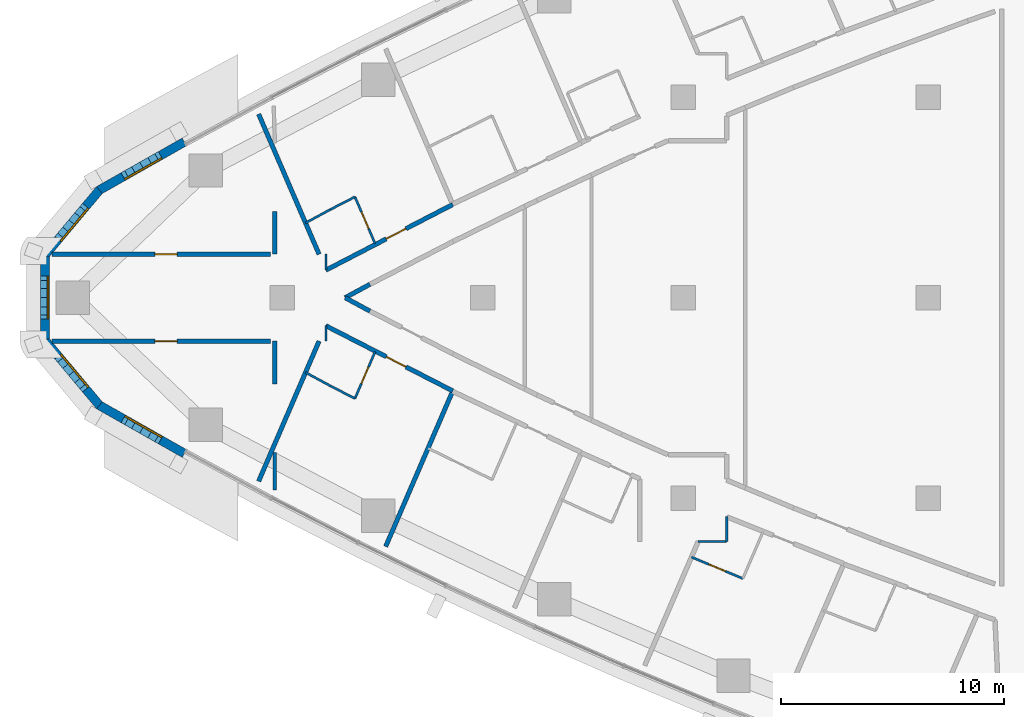
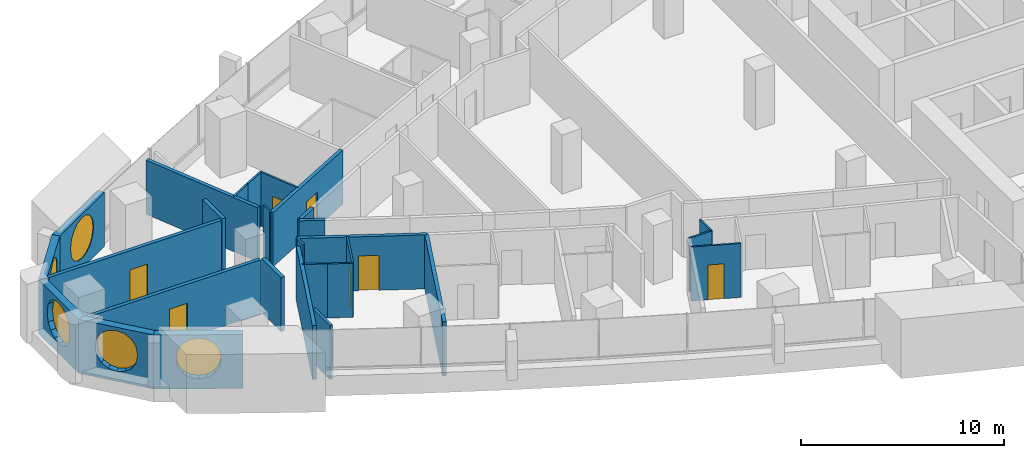
# One storey, part 8 of 17: 28 walls, 7 doors, 5 windows, 12 openings.
"""IFC4 building model written with IfcOpenShell, lengths in metres."""

from ifc_helpers import new_model, si_unit, direction, frame, frame_2d, origin, place, context, subcontext, project, spatial, polyline, rectangle, outline, extrude, material, layer, layer_set, type_object, element, fill, save


model = new_model("IFC4")

# Units and contexts
model_context = context("Model", 3, precision=1e-05, world=origin(), true_north=direction((0.0, 1.0)))
body_context = subcontext(model_context, "Body", "Model", "MODEL_VIEW")
ifc_project = project(units=[si_unit("LENGTHUNIT", "METRE"), si_unit("AREAUNIT", "SQUARE_METRE"), si_unit("VOLUMEUNIT", "CUBIC_METRE"), si_unit("PLANEANGLEUNIT", "RADIAN"), si_unit("MASSUNIT", "GRAM", prefix="KILO")], contexts=[model_context])

# Site, building, storey
site_placement = place(None, origin())
site = spatial("IfcSite", under=ifc_project, at=site_placement, CompositionType="ELEMENT")
building_placement = place(site_placement, origin())
building = spatial("IfcBuilding", under=site, at=building_placement, Name="Ostrand Prow Hotel Tower", CompositionType="ELEMENT")
storey_placement = place(building_placement, frame((0.0, 0.0, 151.5)))
storey = spatial("IfcBuildingStorey", under=building, at=storey_placement, Name="L37", CompositionType="ELEMENT", Elevation=151.5)

# Walls
ifc_material_1 = material(Name="Plasterboard partition")
ifc_layer_1 = layer(ifc_material_1, 0.10009765625)
ifc_layer_set_1 = layer_set([ifc_layer_1], Name="Plasterboard partition")
wall_type_1 = type_object("IfcWallType", Name="Partition 100 bathroom wall", PredefinedType="PARTITIONING", material=ifc_layer_set_1)
wall_1_placement = place(storey_placement, frame((17.03564453125, 3.3583984375, 0.0), z_axis=(0.0, 0.0, 1.0), x_axis=(0.879823588489, 0.475300382009, 0.0)))
element("IfcWall", 1, at=wall_1_placement, inside=storey, type_object=wall_type_1, Name="BATHROOM WALL", PredefinedType="PARTITIONING", context=body_context, shape_type="SweptSolid", body=[
    extrude(rectangle(XDim=1.27294921875, YDim=0.10009765625, at=frame_2d((0.636474609375, 0.0))), origin(), (0.0, 0.0, 1.0), 3.25),
])
wall_2_placement = place(storey_placement, frame((18.155517578125, 3.96337890625, 0.0), z_axis=(0.0, 0.0, 1.0), x_axis=(0.889106231322, 0.457700895154, 0.0)))
element("IfcWall", 2, at=wall_2_placement, inside=storey, type_object=wall_type_1, Name="BATHROOM WALL", PredefinedType="PARTITIONING", context=body_context, shape_type="SweptSolid", body=[
    extrude(rectangle(XDim=1.23486328125, YDim=0.10009765625, at=frame_2d((0.617431640625, 0.0))), origin(), (0.0, 0.0, 1.0), 3.25),
])

# Wall, opening, door
wall_3_placement = place(storey_placement, frame((19.253662109375, 4.528564453125, 0.0), z_axis=(0.0, 0.0, 1.0), x_axis=(0.395958457437, -0.9182684248, 0.0)))
wall_3 = element("IfcWall", 3, at=wall_3_placement, inside=storey, type_object=wall_type_1, Name="BATHROOM WALL", PredefinedType="PARTITIONING", context=body_context, shape_type="SweptSolid", body=[
    extrude(rectangle(XDim=2.281982421875, YDim=0.10009765625, at=frame_2d((1.14111328125, 0.0))), origin(), (0.0, 0.0, 1.0), 3.25),
])
opening_1_placement = place(wall_3_placement, frame((0.75, 0.0, 0.0)))
opening_1 = element("IfcOpeningElement", 4, at=opening_1_placement, cuts=wall_3, Name="Opening D2", PredefinedType="OPENING", context=body_context, shape_type="SweptSolid", body=[
    extrude(rectangle(XDim=0.800048828125, YDim=2.10009765625, at=frame_2d((0.39990234375, 1.050048828125))), frame((0.0, 0.06005859375, 0.0), z_axis=(0.0, -1.0, 0.0), x_axis=(1.0, 0.0, 0.0)), (0.0, 0.0, 1.0), 0.1201171875),
])
ifc_material_2 = material(Name="Timber door leaf", Category="wood")
door_type_1 = type_object("IfcDoorType", Name="Bathroom door 800", OperationType="SINGLE_SWING_LEFT", PredefinedType="DOOR", material=ifc_material_2)
door_1_placement = place(opening_1_placement, origin())
door_1 = element("IfcDoor", 5, at=door_1_placement, inside=storey, type_object=door_type_1, Name="DOOR", OperationType="SINGLE_SWING_LEFT", OverallHeight=2.10009765625, OverallWidth=0.800048828125, PredefinedType="DOOR", context=body_context, shape_type="SweptSolid", body=[
    extrude(rectangle(XDim=0.800048828125, YDim=2.10009765625, at=frame_2d((0.39990234375, 1.050048828125))), frame((0.0, 0.02490234375, 0.0), z_axis=(0.0, -1.0, 0.0), x_axis=(1.0, 0.0, 0.0)), (0.0, 0.0, 1.0), 0.050048828125),
])
fill(opening_1, door_1)

wall_4_placement = place(storey_placement, frame((20.1572265625, -2.43310546875, 0.0), z_axis=(0.0, 0.0, 1.0), x_axis=(-0.395958457437, -0.9182684248, 0.0)))
wall_4 = element("IfcWall", 6, at=wall_4_placement, inside=storey, type_object=wall_type_1, Name="BATHROOM WALL", PredefinedType="PARTITIONING", context=body_context, shape_type="SweptSolid", body=[
    extrude(rectangle(XDim=2.281982421875, YDim=0.10009765625, at=frame_2d((1.14111328125, 0.0))), origin(), (0.0, 0.0, 1.0), 3.25),
])
opening_2_placement = place(wall_4_placement, frame((0.75, 0.0, 0.0)))
opening_2 = element("IfcOpeningElement", 7, at=opening_2_placement, cuts=wall_4, Name="Opening D2", PredefinedType="OPENING", context=body_context, shape_type="SweptSolid", body=[
    extrude(rectangle(XDim=0.800048828125, YDim=2.10009765625, at=frame_2d((0.39990234375, 1.050048828125))), frame((0.0, 0.06005859375, 0.0), z_axis=(0.0, -1.0, 0.0), x_axis=(1.0, 0.0, 0.0)), (0.0, 0.0, 1.0), 0.1201171875),
])
door_2_placement = place(opening_2_placement, origin())
door_2 = element("IfcDoor", 8, at=door_2_placement, inside=storey, type_object=door_type_1, Name="DOOR", OperationType="SINGLE_SWING_LEFT", OverallHeight=2.10009765625, OverallWidth=0.800048828125, PredefinedType="DOOR", context=body_context, shape_type="SweptSolid", body=[
    extrude(rectangle(XDim=0.800048828125, YDim=2.10009765625, at=frame_2d((0.39990234375, 1.050048828125))), frame((0.0, 0.02490234375, 0.0), z_axis=(0.0, -1.0, 0.0), x_axis=(1.0, 0.0, 0.0)), (0.0, 0.0, 1.0), 0.050048828125),
])
fill(opening_2, door_2)

# Walls
wall_5_placement = place(storey_placement, frame((19.25341796875, -4.528564453125, 0.0), z_axis=(0.0, 0.0, 1.0), x_axis=(-0.889106231322, 0.457700895154, 0.0)))
element("IfcWall", 9, at=wall_5_placement, inside=storey, type_object=wall_type_1, Name="BATHROOM WALL", PredefinedType="PARTITIONING", context=body_context, shape_type="SweptSolid", body=[
    extrude(rectangle(XDim=1.23486328125, YDim=0.10009765625, at=frame_2d((0.617431640625, 0.0))), origin(), (0.0, 0.0, 1.0), 3.25),
])
wall_6_placement = place(storey_placement, frame((18.155517578125, -3.96337890625, 0.0), z_axis=(0.0, 0.0, 1.0), x_axis=(-0.879823588489, 0.475300382009, 0.0)))
element("IfcWall", 10, at=wall_6_placement, inside=storey, type_object=wall_type_1, Name="BATHROOM WALL", PredefinedType="PARTITIONING", context=body_context, shape_type="SweptSolid", body=[
    extrude(rectangle(XDim=1.27294921875, YDim=0.10009765625, at=frame_2d((0.636474609375, 0.0))), origin(), (0.0, 0.0, 1.0), 3.25),
])

# Wall, opening, door
wall_7_placement = place(storey_placement, frame((36.676513671875, -12.61279296875, 0.0), z_axis=(0.0, 0.0, 1.0), x_axis=(-0.923019129633, 0.384754059538, 0.0)))
wall_7 = element("IfcWall", 11, at=wall_7_placement, inside=storey, type_object=wall_type_1, Name="BATHROOM WALL", PredefinedType="PARTITIONING", context=body_context, shape_type="SweptSolid", body=[
    extrude(rectangle(XDim=2.5, YDim=0.10009765625, at=frame_2d((1.25, 0.0))), origin(), (0.0, 0.0, 1.0), 3.25),
])
opening_3_placement = place(wall_7_placement, frame((0.85009765625, 0.0, 0.0)))
opening_3 = element("IfcOpeningElement", 12, at=opening_3_placement, cuts=wall_7, Name="Opening D2", PredefinedType="OPENING", context=body_context, shape_type="SweptSolid", body=[
    extrude(rectangle(XDim=0.800048828125, YDim=2.10009765625, at=frame_2d((0.39990234375, 1.050048828125))), frame((0.0, 0.06005859375, 0.0), z_axis=(0.0, -1.0, 0.0), x_axis=(1.0, 0.0, 0.0)), (0.0, 0.0, 1.0), 0.1201171875),
])
door_3_placement = place(opening_3_placement, origin())
door_3 = element("IfcDoor", 13, at=door_3_placement, inside=storey, type_object=door_type_1, Name="DOOR", OperationType="SINGLE_SWING_LEFT", OverallHeight=2.10009765625, OverallWidth=0.800048828125, PredefinedType="DOOR", context=body_context, shape_type="SweptSolid", body=[
    extrude(rectangle(XDim=0.800048828125, YDim=2.10009765625, at=frame_2d((0.39990234375, 1.050048828125))), frame((0.0, 0.02490234375, 0.0), z_axis=(0.0, -1.0, 0.0), x_axis=(1.0, 0.0, 0.0)), (0.0, 0.0, 1.0), 0.050048828125),
])
fill(opening_3, door_3)

# Walls
for number, where, z_axis, x_axis, name in (
    (14, (17.959716796875, 1.248779296875, 0.0), (0.0, 0.0, 1.0), (-0.007291472831, 0.999973416859, 0.0), "BATHROOM WALL"),
    (15, (17.95458984375, -1.951904296875, 0.0), (0.0, 0.0, 1.0), (0.007291472831, 0.999973416859, 0.0), "BATHROOM WALL"),
):
    element("IfcWall", number, at=place(storey_placement, frame(where, z_axis=z_axis, x_axis=x_axis)), inside=storey, type_object=wall_type_1, Name=name, PredefinedType="PARTITIONING", context=body_context, shape_type="SweptSolid", body=[
        extrude(rectangle(XDim=0.703125, YDim=0.10009765625, at=frame_2d((0.3515625, 0.0))), origin(), (0.0, 0.0, 1.0), 3.25),
    ])
wall_8_placement = place(storey_placement, frame((34.668701171875, -10.955078125, 0.0), z_axis=(0.0, 0.0, 1.0), x_axis=(0.99999954838, 0.000950389231, 0.0)))
element("IfcWall", 16, at=wall_8_placement, inside=storey, type_object=wall_type_1, Name="BATHROOM WALL", PredefinedType="PARTITIONING", context=body_context, shape_type="SweptSolid", body=[
    extrude(rectangle(XDim=1.284423828125, YDim=0.10009765625, at=frame_2d((0.64208984375, 0.0))), origin(), (0.0, 0.0, 1.0), 3.25),
])
wall_9_placement = place(storey_placement, frame((35.953125, -10.953857421875, 0.0), z_axis=(0.0, 0.0, 1.0), x_axis=(0.003465432949, 0.999993995369, 0.0)))
element("IfcWall", 17, at=wall_9_placement, inside=storey, type_object=wall_type_1, Name="BATHROOM WALL", PredefinedType="PARTITIONING", context=body_context, shape_type="SweptSolid", body=[
    extrude(rectangle(XDim=1.127197265625, YDim=0.10009765625, at=frame_2d((0.5634765625, 0.0))), origin(), (0.0, 0.0, 1.0), 3.25),
])
ifc_material_3 = material(Name="Plasterboard partition")
ifc_layer_2 = layer(ifc_material_3, 0.14990234375)
ifc_layer_set_2 = layer_set([ifc_layer_2], Name="Plasterboard partition")
wall_type_2 = type_object("IfcWallType", Name="Partition 150 room partition", PredefinedType="PARTITIONING", material=ifc_layer_set_2)
wall_10_placement = place(storey_placement, frame((15.65869140625, -6.955078125, 0.0), z_axis=(0.0, 0.0, 1.0), x_axis=(0.0, -1.0, 0.0)))
element("IfcWall", 18, at=wall_10_placement, inside=storey, type_object=wall_type_2, Name="ROOM PARTITION", PredefinedType="PARTITIONING", context=body_context, shape_type="SweptSolid", body=[
    extrude(rectangle(XDim=1.68359375, YDim=0.14990234375, at=frame_2d((0.841796875, 0.0))), origin(), (0.0, 0.0, 1.0), 3.25),
])

# Wall, opening, door
ifc_material_4 = material(Name="Plasterboard partition")
ifc_layer_3 = layer(ifc_material_4, 0.199951171875)
ifc_layer_set_3 = layer_set([ifc_layer_3], Name="Plasterboard partition")
wall_type_3 = type_object("IfcWallType", Name="Partition 200 corridor wall", PredefinedType="PARTITIONING", material=ifc_layer_set_3)
wall_11_placement = place(storey_placement, frame((5.654296875, 1.949951171875, 0.0), z_axis=(0.0, 0.0, 1.0), x_axis=(1.0, 0.0, 0.0)))
wall_11 = element("IfcWall", 19, at=wall_11_placement, inside=storey, type_object=wall_type_3, Name="CORRIDOR WALL", PredefinedType="PARTITIONING", context=body_context, shape_type="SweptSolid", body=[
    extrude(rectangle(XDim=9.804443359375, YDim=0.199951171875, at=frame_2d((4.90234375, 0.0))), origin(), (0.0, 0.0, 1.0), 3.25),
])
opening_4_placement = place(wall_11_placement, frame((4.618408203125, 0.0, 0.0)))
opening_4 = element("IfcOpeningElement", 20, at=opening_4_placement, cuts=wall_11, Name="Opening D1", PredefinedType="OPENING", context=body_context, shape_type="SweptSolid", body=[
    extrude(rectangle(XDim=1.0, YDim=2.10009765625, at=frame_2d((0.5, 1.050048828125))), frame((0.0, 0.10986328125, 0.0), z_axis=(0.0, -1.0, 0.0), x_axis=(1.0, 0.0, 0.0)), (0.0, 0.0, 1.0), 0.219970703125),
])
ifc_material_5 = material(Name="Timber door leaf", Category="wood")
door_type_2 = type_object("IfcDoorType", Name="Guest room door 1000", OperationType="SINGLE_SWING_LEFT", PredefinedType="DOOR", material=ifc_material_5)
door_4_placement = place(opening_4_placement, origin())
door_4 = element("IfcDoor", 21, at=door_4_placement, inside=storey, type_object=door_type_2, Name="DOOR", OperationType="SINGLE_SWING_LEFT", OverallHeight=2.10009765625, OverallWidth=1.0, PredefinedType="DOOR", context=body_context, shape_type="SweptSolid", body=[
    extrude(rectangle(XDim=1.0, YDim=2.10009765625, at=frame_2d((0.5, 1.050048828125))), frame((0.0, 0.02490234375, 0.0), z_axis=(0.0, -1.0, 0.0), x_axis=(1.0, 0.0, 0.0)), (0.0, 0.0, 1.0), 0.050048828125),
])
fill(opening_4, door_4)

wall_12_placement = place(storey_placement, frame((5.654296875, -1.949951171875, 0.0), z_axis=(0.0, 0.0, 1.0), x_axis=(1.0, 0.0, 0.0)))
wall_12 = element("IfcWall", 22, at=wall_12_placement, inside=storey, type_object=wall_type_3, Name="CORRIDOR WALL", PredefinedType="PARTITIONING", context=body_context, shape_type="SweptSolid", body=[
    extrude(rectangle(XDim=9.804443359375, YDim=0.199951171875, at=frame_2d((4.90234375, 0.0))), origin(), (0.0, 0.0, 1.0), 3.25),
])
opening_5_placement = place(wall_12_placement, frame((4.618408203125, 0.0, 0.0)))
opening_5 = element("IfcOpeningElement", 23, at=opening_5_placement, cuts=wall_12, Name="Opening D1R", PredefinedType="OPENING", context=body_context, shape_type="SweptSolid", body=[
    extrude(rectangle(XDim=1.0, YDim=2.10009765625, at=frame_2d((0.5, 1.050048828125))), frame((0.0, 0.10986328125, 0.0), z_axis=(0.0, -1.0, 0.0), x_axis=(1.0, 0.0, 0.0)), (0.0, 0.0, 1.0), 0.219970703125),
])
ifc_material_6 = material(Name="Timber door leaf", Category="wood")
door_type_3 = type_object("IfcDoorType", Name="Guest room door 1000 right", OperationType="SINGLE_SWING_RIGHT", PredefinedType="DOOR", material=ifc_material_6)
door_5_placement = place(opening_5_placement, origin())
door_5 = element("IfcDoor", 24, at=door_5_placement, inside=storey, type_object=door_type_3, Name="DOOR", OperationType="SINGLE_SWING_RIGHT", OverallHeight=2.10009765625, OverallWidth=1.0, PredefinedType="DOOR", context=body_context, shape_type="SweptSolid", body=[
    extrude(rectangle(XDim=1.0, YDim=2.10009765625, at=frame_2d((0.5, 1.050048828125))), frame((0.0, 0.02490234375, 0.0), z_axis=(0.0, -1.0, 0.0), x_axis=(1.0, 0.0, 0.0)), (0.0, 0.0, 1.0), 0.050048828125),
])
fill(opening_5, door_5)

wall_13_placement = place(storey_placement, frame((17.949951171875, 1.238037109375, 0.0), z_axis=(0.0, 0.0, 1.0), x_axis=(0.888115354048, 0.459620623888, 0.0)))
wall_13 = element("IfcWall", 25, at=wall_13_placement, inside=storey, type_object=wall_type_3, Name="CORRIDOR WALL", PredefinedType="PARTITIONING", context=body_context, shape_type="SweptSolid", body=[
    extrude(rectangle(XDim=6.416015625, YDim=0.199951171875, at=frame_2d((3.2080078125, 0.0))), origin(), (0.0, 0.0, 1.0), 3.25),
])
opening_6_placement = place(wall_13_placement, frame((3.050048828125, 0.0, 0.0)))
opening_6 = element("IfcOpeningElement", 26, at=opening_6_placement, cuts=wall_13, Name="Opening D1R", PredefinedType="OPENING", context=body_context, shape_type="SweptSolid", body=[
    extrude(rectangle(XDim=1.0, YDim=2.10009765625, at=frame_2d((0.5, 1.050048828125))), frame((0.0, 0.10986328125, 0.0), z_axis=(0.0, -1.0, 0.0), x_axis=(1.0, 0.0, 0.0)), (0.0, 0.0, 1.0), 0.219970703125),
])
door_6_placement = place(opening_6_placement, origin())
door_6 = element("IfcDoor", 27, at=door_6_placement, inside=storey, type_object=door_type_3, Name="DOOR", OperationType="SINGLE_SWING_RIGHT", OverallHeight=2.10009765625, OverallWidth=1.0, PredefinedType="DOOR", context=body_context, shape_type="SweptSolid", body=[
    extrude(rectangle(XDim=1.0, YDim=2.10009765625, at=frame_2d((0.5, 1.050048828125))), frame((0.0, 0.02490234375, 0.0), z_axis=(0.0, -1.0, 0.0), x_axis=(1.0, 0.0, 0.0)), (0.0, 0.0, 1.0), 0.050048828125),
])
fill(opening_6, door_6)

wall_14_placement = place(storey_placement, frame((17.949951171875, -1.2607421875, 0.0), z_axis=(0.0, 0.0, 1.0), x_axis=(0.889557809153, -0.456822617845, 0.0)))
wall_14 = element("IfcWall", 28, at=wall_14_placement, inside=storey, type_object=wall_type_3, Name="CORRIDOR WALL", PredefinedType="PARTITIONING", context=body_context, shape_type="SweptSolid", body=[
    extrude(rectangle(XDim=6.40576171875, YDim=0.199951171875, at=frame_2d((3.202880859375, 0.0))), origin(), (0.0, 0.0, 1.0), 3.25),
])
opening_7_placement = place(wall_14_placement, frame((3.050048828125, 0.0, 0.0)))
opening_7 = element("IfcOpeningElement", 29, at=opening_7_placement, cuts=wall_14, Name="Opening D1", PredefinedType="OPENING", context=body_context, shape_type="SweptSolid", body=[
    extrude(rectangle(XDim=1.0, YDim=2.10009765625, at=frame_2d((0.5, 1.050048828125))), frame((0.0, 0.10986328125, 0.0), z_axis=(0.0, -1.0, 0.0), x_axis=(1.0, 0.0, 0.0)), (0.0, 0.0, 1.0), 0.219970703125),
])
door_7_placement = place(opening_7_placement, origin())
door_7 = element("IfcDoor", 30, at=door_7_placement, inside=storey, type_object=door_type_2, Name="DOOR", OperationType="SINGLE_SWING_LEFT", OverallHeight=2.10009765625, OverallWidth=1.0, PredefinedType="DOOR", context=body_context, shape_type="SweptSolid", body=[
    extrude(rectangle(XDim=1.0, YDim=2.10009765625, at=frame_2d((0.5, 1.050048828125))), frame((0.0, 0.02490234375, 0.0), z_axis=(0.0, -1.0, 0.0), x_axis=(1.0, 0.0, 0.0)), (0.0, 0.0, 1.0), 0.050048828125),
])
fill(opening_7, door_7)

# Walls
for number, where, z_axis, x_axis, name in (
    (31, (19.928466796875, -0.60205078125, 0.0), (0.0, 0.0, 1.0), (-0.879832865766, 0.475283208538, 0.0), "CORRIDOR WALL"),
    (32, (18.81396484375, 0.0, 0.0), (0.0, 0.0, 1.0), (0.879832865766, 0.475283208538, 0.0), "CORRIDOR WALL"),
):
    element("IfcWall", number, at=place(storey_placement, frame(where, z_axis=z_axis, x_axis=x_axis)), inside=storey, type_object=wall_type_3, Name=name, PredefinedType="PARTITIONING", context=body_context, shape_type="SweptSolid", body=[
        extrude(rectangle(XDim=1.2666015625, YDim=0.199951171875, at=frame_2d((0.63330078125, 0.0))), origin(), (0.0, 0.0, 1.0), 3.25),
    ])
wall_15_placement = place(storey_placement, frame((15.65869140625, 3.869384765625, 0.0), z_axis=(0.0, 0.0, 1.0), x_axis=(0.0, -1.0, 0.0)))
element("IfcWall", 33, at=wall_15_placement, inside=storey, type_object=wall_type_3, Name="CORRIDOR WALL", PredefinedType="PARTITIONING", context=body_context, shape_type="SweptSolid", body=[
    extrude(rectangle(XDim=1.914306640625, YDim=0.199951171875, at=frame_2d((0.95703125, 0.0))), origin(), (0.0, 0.0, 1.0), 3.25),
])
wall_16_placement = place(storey_placement, frame((15.65869140625, -1.955078125, 0.0), z_axis=(0.0, 0.0, 1.0), x_axis=(0.0, -1.0, 0.0)))
element("IfcWall", 34, at=wall_16_placement, inside=storey, type_object=wall_type_3, Name="CORRIDOR WALL", PredefinedType="PARTITIONING", context=body_context, shape_type="SweptSolid", body=[
    extrude(rectangle(XDim=1.921630859375, YDim=0.199951171875, at=frame_2d((0.9609375, 0.0))), origin(), (0.0, 0.0, 1.0), 3.25),
])
ifc_material_7 = material(Name="Plasterboard partition")
ifc_layer_4 = layer(ifc_material_7, 0.199951171875)
ifc_layer_set_4 = layer_set([ifc_layer_4], Name="Plasterboard partition")
wall_type_4 = type_object("IfcWallType", Name="Partition 200 key partition", PredefinedType="PARTITIONING", material=ifc_layer_set_4)
for number, where, z_axis, x_axis, name in (
    (35, (17.64306640625, 1.949951171875, 0.0), (0.0, 0.0, 1.0), (-0.395994543879, 0.918252863441, 0.0), "KEY PARTITION"),
    (36, (14.9287109375, -8.244140625, 0.0), (0.0, 0.0, 1.0), (0.395994543879, 0.918252863441, 0.0), "KEY PARTITION"),
):
    element("IfcWall", number, at=place(storey_placement, frame(where, z_axis=z_axis, x_axis=x_axis)), inside=storey, type_object=wall_type_4, Name=name, PredefinedType="PARTITIONING", context=body_context, shape_type="SweptSolid", body=[
        extrude(rectangle(XDim=6.8544921875, YDim=0.199951171875, at=frame_2d((3.42724609375, 0.0))), origin(), (0.0, 0.0, 1.0), 3.25),
    ])
wall_17_placement = place(storey_placement, frame((20.635009765625, -11.173583984375, 0.0), z_axis=(0.0, 0.0, 1.0), x_axis=(0.396021090347, 0.91824141488, 0.0)))
element("IfcWall", 37, at=wall_17_placement, inside=storey, type_object=wall_type_4, Name="KEY PARTITION", PredefinedType="PARTITIONING", context=body_context, shape_type="SweptSolid", body=[
    extrude(rectangle(XDim=7.608642578125, YDim=0.199951171875, at=frame_2d((3.80419921875, 0.0))), origin(), (0.0, 0.0, 1.0), 3.25),
])

# Wall, opening, window
ifc_material_8 = material(Name="Precast concrete C40/50", Category="concrete")
ifc_layer_5 = layer(ifc_material_8, 0.39990234375)
ifc_layer_set_5 = layer_set([ifc_layer_5], Name="Precast concrete C40/50")
wall_type_5 = type_object("IfcWallType", Name="Stone-faced precast wall 400 mm", PredefinedType="NOTDEFINED", material=ifc_layer_set_5)
wall_18_placement = place(storey_placement, frame((11.594482421875, 6.996826171875, 0.0), z_axis=(0.0, 0.0, 1.0), x_axis=(-0.870045255208, -0.492971859125, 0.0)))
wall_18 = element("IfcWall", 38, at=wall_18_placement, inside=storey, type_object=wall_type_5, Name="Stone-faced wall prow 1", PredefinedType="NOTDEFINED", context=body_context, shape_type="SweptSolid", body=[
    extrude(outline(polyline([(0.0, -0.199951171875), (4.424072265625, -0.199951171875), (4.351806640625, 0.199951171875), (0.0, 0.199951171875), (0.0, -0.199951171875)])), origin(), (0.0, 0.0, 1.0), 3.25),
])
opening_8_placement = place(wall_18_placement, frame((1.093994140625, 0.0, 0.60009765625)))
opening_8 = element("IfcOpeningElement", 39, at=opening_8_placement, cuts=wall_18, Name="Opening WP1", PredefinedType="OPENING", context=body_context, shape_type="SweptSolid", body=[
    extrude(outline(polyline([(0.0, 1.35009765625), (0.083740234375, 1.77099609375), (0.322265625, 2.127685546875), (0.678955078125, 2.3662109375), (1.10009765625, 2.449951171875), (1.52099609375, 2.3662109375), (1.877685546875, 2.127685546875), (2.1162109375, 1.77099609375), (2.199951171875, 1.35009765625), (2.199951171875, 1.10009765625), (2.1162109375, 0.678955078125), (1.877685546875, 0.322265625), (1.52099609375, 0.083740234375), (1.10009765625, 0.0), (0.678955078125, 0.083740234375), (0.322265625, 0.322265625), (0.083740234375, 0.678955078125), (0.0, 1.099853515625), (0.0, 1.35009765625)])), frame((0.0, 0.2099609375, 0.0), z_axis=(0.0, -1.0, 0.0), x_axis=(1.0, 0.0, 0.0)), (0.0, 0.0, 1.0), 0.419921875),
])
ifc_material_9 = material(Name="Insulated glass in bronze frame", Category="glass")
window_type = type_object("IfcWindowType", Name="Round-ended prow window 2200x2450", PartitioningType="SINGLE_PANEL", PredefinedType="WINDOW", material=ifc_material_9)
window_1_placement = place(opening_8_placement, origin())
window_1 = element("IfcWindow", 40, at=window_1_placement, inside=storey, type_object=window_type, Name="Window prow 1.1", OverallHeight=2.449951171875, OverallWidth=2.199951171875, PartitioningType="SINGLE_PANEL", PredefinedType="WINDOW", context=body_context, shape_type="SweptSolid", body=[
    extrude(outline(polyline([(0.0, 1.35009765625), (0.083740234375, 1.77099609375), (0.322265625, 2.127685546875), (0.678955078125, 2.3662109375), (1.10009765625, 2.449951171875), (1.52099609375, 2.3662109375), (1.877685546875, 2.127685546875), (2.1162109375, 1.77099609375), (2.199951171875, 1.35009765625), (2.199951171875, 1.10009765625), (2.1162109375, 0.678955078125), (1.877685546875, 0.322265625), (1.52099609375, 0.083740234375), (1.10009765625, 0.0), (0.678955078125, 0.083740234375), (0.322265625, 0.322265625), (0.083740234375, 0.678955078125), (0.0, 1.099853515625), (0.0, 1.35009765625)])), frame((0.0, 0.169921875, 0.0), z_axis=(0.0, -1.0, 0.0), x_axis=(1.0, 0.0, 0.0)), (0.0, 0.0, 1.0), 0.06005859375),
])
fill(opening_8, window_1)

wall_19_placement = place(storey_placement, frame((7.77685546875, 4.833740234375, 0.0), z_axis=(0.0, 0.0, 1.0), x_axis=(-0.641787918235, -0.766882173484, 0.0)))
wall_19 = element("IfcWall", 41, at=wall_19_placement, inside=storey, type_object=wall_type_5, Name="Stone-faced wall prow 2", PredefinedType="NOTDEFINED", context=body_context, shape_type="SweptSolid", body=[
    extrude(outline(polyline([(-0.0361328125, -0.199951171875), (3.887939453125, -0.199951171875), (3.742919921875, 0.199951171875), (0.0361328125, 0.199951171875), (-0.0361328125, -0.199951171875)])), origin(), (0.0, 0.0, 1.0), 3.25),
])
opening_9_placement = place(wall_19_placement, frame((0.8076171875, 0.0, 0.60009765625)))
opening_9 = element("IfcOpeningElement", 42, at=opening_9_placement, cuts=wall_19, Name="Opening WP1", PredefinedType="OPENING", context=body_context, shape_type="SweptSolid", body=[
    extrude(outline(polyline([(0.0, 1.35009765625), (0.083740234375, 1.77099609375), (0.322265625, 2.127685546875), (0.678955078125, 2.3662109375), (1.10009765625, 2.449951171875), (1.52099609375, 2.3662109375), (1.877685546875, 2.127685546875), (2.1162109375, 1.77099609375), (2.199951171875, 1.35009765625), (2.199951171875, 1.10009765625), (2.1162109375, 0.678955078125), (1.877685546875, 0.322265625), (1.52099609375, 0.083740234375), (1.10009765625, 0.0), (0.678955078125, 0.083740234375), (0.322265625, 0.322265625), (0.083740234375, 0.678955078125), (0.0, 1.099853515625), (0.0, 1.35009765625)])), frame((0.0, 0.2099609375, 0.0), z_axis=(0.0, -1.0, 0.0), x_axis=(1.0, 0.0, 0.0)), (0.0, 0.0, 1.0), 0.419921875),
])
window_2_placement = place(opening_9_placement, origin())
window_2 = element("IfcWindow", 43, at=window_2_placement, inside=storey, type_object=window_type, Name="Window prow 2.1", OverallHeight=2.449951171875, OverallWidth=2.199951171875, PartitioningType="SINGLE_PANEL", PredefinedType="WINDOW", context=body_context, shape_type="SweptSolid", body=[
    extrude(outline(polyline([(0.0, 1.35009765625), (0.083740234375, 1.77099609375), (0.322265625, 2.127685546875), (0.678955078125, 2.3662109375), (1.10009765625, 2.449951171875), (1.52099609375, 2.3662109375), (1.877685546875, 2.127685546875), (2.1162109375, 1.77099609375), (2.199951171875, 1.35009765625), (2.199951171875, 1.10009765625), (2.1162109375, 0.678955078125), (1.877685546875, 0.322265625), (1.52099609375, 0.083740234375), (1.10009765625, 0.0), (0.678955078125, 0.083740234375), (0.322265625, 0.322265625), (0.083740234375, 0.678955078125), (0.0, 1.099853515625), (0.0, 1.35009765625)])), frame((0.0, 0.169921875, 0.0), z_axis=(0.0, -1.0, 0.0), x_axis=(1.0, 0.0, 0.0)), (0.0, 0.0, 1.0), 0.06005859375),
])
fill(opening_9, window_2)

wall_20_placement = place(storey_placement, frame((5.328125, 1.90771484375, 0.0), z_axis=(0.0, 0.0, 1.0), x_axis=(0.0, -1.0, 0.0)))
wall_20 = element("IfcWall", 44, at=wall_20_placement, inside=storey, type_object=wall_type_5, Name="Stone-faced wall prow 3", PredefinedType="NOTDEFINED", context=body_context, shape_type="SweptSolid", body=[
    extrude(outline(polyline([(-0.072509765625, -0.199951171875), (3.887939453125, -0.199951171875), (3.742919921875, 0.199951171875), (0.072509765625, 0.199951171875), (-0.072509765625, -0.199951171875)])), origin(), (0.0, 0.0, 1.0), 3.25),
])
opening_10_placement = place(wall_20_placement, frame((0.8076171875, 0.0, 0.60009765625)))
opening_10 = element("IfcOpeningElement", 45, at=opening_10_placement, cuts=wall_20, Name="Opening WP1", PredefinedType="OPENING", context=body_context, shape_type="SweptSolid", body=[
    extrude(outline(polyline([(0.0, 1.35009765625), (0.083740234375, 1.77099609375), (0.322265625, 2.127685546875), (0.678955078125, 2.3662109375), (1.10009765625, 2.449951171875), (1.52099609375, 2.3662109375), (1.877685546875, 2.127685546875), (2.1162109375, 1.77099609375), (2.199951171875, 1.35009765625), (2.199951171875, 1.10009765625), (2.1162109375, 0.678955078125), (1.877685546875, 0.322265625), (1.52099609375, 0.083740234375), (1.10009765625, 0.0), (0.678955078125, 0.083740234375), (0.322265625, 0.322265625), (0.083740234375, 0.678955078125), (0.0, 1.099853515625), (0.0, 1.35009765625)])), frame((0.0, 0.2099609375, 0.0), z_axis=(0.0, -1.0, 0.0), x_axis=(1.0, 0.0, 0.0)), (0.0, 0.0, 1.0), 0.419921875),
])
window_3_placement = place(opening_10_placement, origin())
window_3 = element("IfcWindow", 46, at=window_3_placement, inside=storey, type_object=window_type, Name="Window prow 3.1", OverallHeight=2.449951171875, OverallWidth=2.199951171875, PartitioningType="SINGLE_PANEL", PredefinedType="WINDOW", context=body_context, shape_type="SweptSolid", body=[
    extrude(outline(polyline([(0.0, 1.35009765625), (0.083740234375, 1.77099609375), (0.322265625, 2.127685546875), (0.678955078125, 2.3662109375), (1.10009765625, 2.449951171875), (1.52099609375, 2.3662109375), (1.877685546875, 2.127685546875), (2.1162109375, 1.77099609375), (2.199951171875, 1.35009765625), (2.199951171875, 1.10009765625), (2.1162109375, 0.678955078125), (1.877685546875, 0.322265625), (1.52099609375, 0.083740234375), (1.10009765625, 0.0), (0.678955078125, 0.083740234375), (0.322265625, 0.322265625), (0.083740234375, 0.678955078125), (0.0, 1.099853515625), (0.0, 1.35009765625)])), frame((0.0, 0.169921875, 0.0), z_axis=(0.0, -1.0, 0.0), x_axis=(1.0, 0.0, 0.0)), (0.0, 0.0, 1.0), 0.06005859375),
])
fill(opening_10, window_3)

wall_21_placement = place(storey_placement, frame((5.328125, -1.90771484375, 0.0), z_axis=(0.0, 0.0, 1.0), x_axis=(0.641787918235, -0.766882173484, 0.0)))
wall_21 = element("IfcWall", 47, at=wall_21_placement, inside=storey, type_object=wall_type_5, Name="Stone-faced wall prow 4", PredefinedType="NOTDEFINED", context=body_context, shape_type="SweptSolid", body=[
    extrude(outline(polyline([(-0.072509765625, -0.199951171875), (3.8515625, -0.199951171875), (3.779296875, 0.199951171875), (0.072509765625, 0.199951171875), (-0.072509765625, -0.199951171875)])), origin(), (0.0, 0.0, 1.0), 3.25),
])
opening_11_placement = place(wall_21_placement, frame((0.8076171875, 0.0, 0.60009765625)))
opening_11 = element("IfcOpeningElement", 48, at=opening_11_placement, cuts=wall_21, Name="Opening WP1", PredefinedType="OPENING", context=body_context, shape_type="SweptSolid", body=[
    extrude(outline(polyline([(0.0, 1.35009765625), (0.083740234375, 1.77099609375), (0.322265625, 2.127685546875), (0.678955078125, 2.3662109375), (1.10009765625, 2.449951171875), (1.52099609375, 2.3662109375), (1.877685546875, 2.127685546875), (2.1162109375, 1.77099609375), (2.199951171875, 1.35009765625), (2.199951171875, 1.10009765625), (2.1162109375, 0.678955078125), (1.877685546875, 0.322265625), (1.52099609375, 0.083740234375), (1.10009765625, 0.0), (0.678955078125, 0.083740234375), (0.322265625, 0.322265625), (0.083740234375, 0.678955078125), (0.0, 1.099853515625), (0.0, 1.35009765625)])), frame((0.0, 0.2099609375, 0.0), z_axis=(0.0, -1.0, 0.0), x_axis=(1.0, 0.0, 0.0)), (0.0, 0.0, 1.0), 0.419921875),
])
window_4_placement = place(opening_11_placement, origin())
window_4 = element("IfcWindow", 49, at=window_4_placement, inside=storey, type_object=window_type, Name="Window prow 4.1", OverallHeight=2.449951171875, OverallWidth=2.199951171875, PartitioningType="SINGLE_PANEL", PredefinedType="WINDOW", context=body_context, shape_type="SweptSolid", body=[
    extrude(outline(polyline([(0.0, 1.35009765625), (0.083740234375, 1.77099609375), (0.322265625, 2.127685546875), (0.678955078125, 2.3662109375), (1.10009765625, 2.449951171875), (1.52099609375, 2.3662109375), (1.877685546875, 2.127685546875), (2.1162109375, 1.77099609375), (2.199951171875, 1.35009765625), (2.199951171875, 1.10009765625), (2.1162109375, 0.678955078125), (1.877685546875, 0.322265625), (1.52099609375, 0.083740234375), (1.10009765625, 0.0), (0.678955078125, 0.083740234375), (0.322265625, 0.322265625), (0.083740234375, 0.678955078125), (0.0, 1.099853515625), (0.0, 1.35009765625)])), frame((0.0, 0.169921875, 0.0), z_axis=(0.0, -1.0, 0.0), x_axis=(1.0, 0.0, 0.0)), (0.0, 0.0, 1.0), 0.06005859375),
])
fill(opening_11, window_4)

wall_22_placement = place(storey_placement, frame((7.77685546875, -4.833740234375, 0.0), z_axis=(0.0, 0.0, 1.0), x_axis=(0.870045255208, -0.492971859125, 0.0)))
wall_22 = element("IfcWall", 50, at=wall_22_placement, inside=storey, type_object=wall_type_5, Name="Stone-faced wall prow 5", PredefinedType="NOTDEFINED", context=body_context, shape_type="SweptSolid", body=[
    extrude(outline(polyline([(-0.0361328125, -0.199951171875), (4.387939453125, -0.199951171875), (4.387939453125, 0.199951171875), (0.0361328125, 0.199951171875), (-0.0361328125, -0.199951171875)])), origin(), (0.0, 0.0, 1.0), 3.25),
])
opening_12_placement = place(wall_22_placement, frame((1.093994140625, 0.0, 0.60009765625)))
opening_12 = element("IfcOpeningElement", 51, at=opening_12_placement, cuts=wall_22, Name="Opening WP1", PredefinedType="OPENING", context=body_context, shape_type="SweptSolid", body=[
    extrude(outline(polyline([(0.0, 1.35009765625), (0.083740234375, 1.77099609375), (0.322265625, 2.127685546875), (0.678955078125, 2.3662109375), (1.10009765625, 2.449951171875), (1.52099609375, 2.3662109375), (1.877685546875, 2.127685546875), (2.1162109375, 1.77099609375), (2.199951171875, 1.35009765625), (2.199951171875, 1.10009765625), (2.1162109375, 0.678955078125), (1.877685546875, 0.322265625), (1.52099609375, 0.083740234375), (1.10009765625, 0.0), (0.678955078125, 0.083740234375), (0.322265625, 0.322265625), (0.083740234375, 0.678955078125), (0.0, 1.099853515625), (0.0, 1.35009765625)])), frame((0.0, 0.2099609375, 0.0), z_axis=(0.0, -1.0, 0.0), x_axis=(1.0, 0.0, 0.0)), (0.0, 0.0, 1.0), 0.419921875),
])
window_5_placement = place(opening_12_placement, origin())
window_5 = element("IfcWindow", 52, at=window_5_placement, inside=storey, type_object=window_type, Name="Window prow 5.1", OverallHeight=2.449951171875, OverallWidth=2.199951171875, PartitioningType="SINGLE_PANEL", PredefinedType="WINDOW", context=body_context, shape_type="SweptSolid", body=[
    extrude(outline(polyline([(0.0, 1.35009765625), (0.083740234375, 1.77099609375), (0.322265625, 2.127685546875), (0.678955078125, 2.3662109375), (1.10009765625, 2.449951171875), (1.52099609375, 2.3662109375), (1.877685546875, 2.127685546875), (2.1162109375, 1.77099609375), (2.199951171875, 1.35009765625), (2.199951171875, 1.10009765625), (2.1162109375, 0.678955078125), (1.877685546875, 0.322265625), (1.52099609375, 0.083740234375), (1.10009765625, 0.0), (0.678955078125, 0.083740234375), (0.322265625, 0.322265625), (0.083740234375, 0.678955078125), (0.0, 1.099853515625), (0.0, 1.35009765625)])), frame((0.0, 0.169921875, 0.0), z_axis=(0.0, -1.0, 0.0), x_axis=(1.0, 0.0, 0.0)), (0.0, 0.0, 1.0), 0.06005859375),
])
fill(opening_12, window_5)

save(model, "model.ifc")
